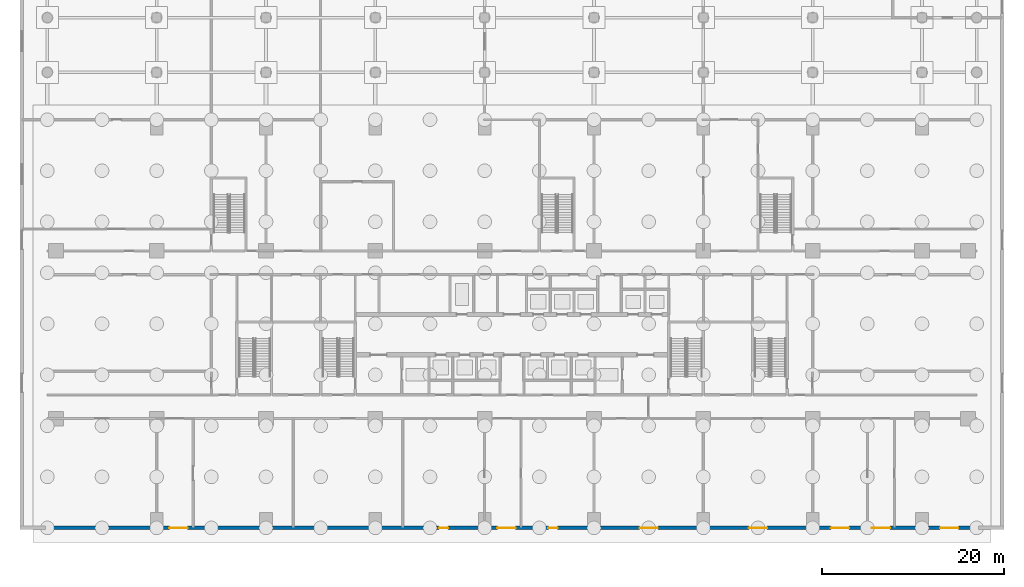
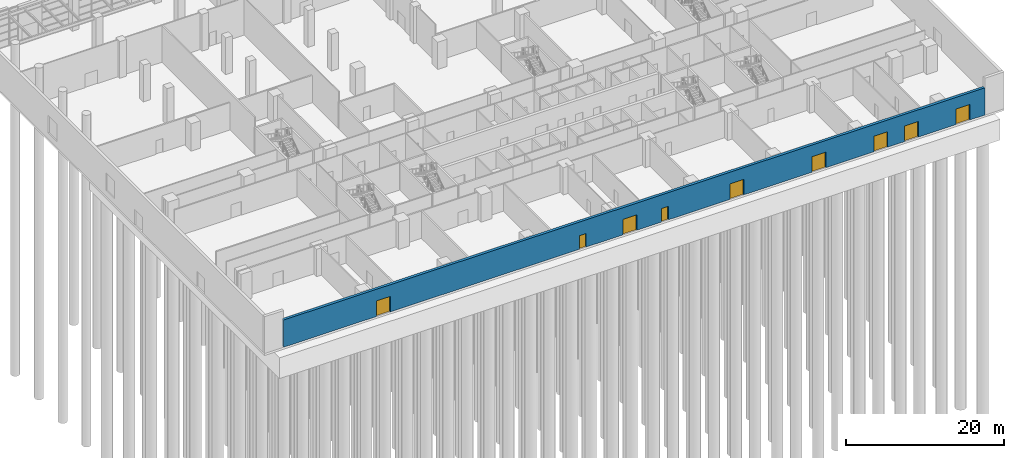
# One storey, part 14 of 27: 9 doors, 1 wall, 9 openings.
"""IFC4 building model written with IfcOpenShell, lengths in metres."""

import ifcopenshell
import ifcopenshell.guid

model = None  # the IFC model being written
_history = None  # IfcOwnerHistory: only IFC2X3 demands one
_inside = {}  # id of a spatial element -> (the spatial element, [elements in it])
_under = {}  # id of a project, library or spatial element -> (it, [spatial elements below it])
_declared = {}  # id of a project -> (the project, [libraries it declares])
_typed = {}  # id of a type object -> (the type object, [elements of that type])
_made_of = {}  # id of a material, layer set ... -> (it, [elements and type objects made of it])


def new_model(schema):
    """Start an empty IFC model of exactly this schema.

    Asked for "IFC4X3", IfcOpenShell would pick the latest addendum, in which some entities
    have other attributes; the version numbers below select the first issue.
    IFC2X3 requires an IfcOwnerHistory on every rooted entity: one is made here for all.
    """
    global model, _history
    if schema == "IFC4X3":
        model = ifcopenshell.file(schema_version=(4, 3, 0, 0))
    else:
        model = ifcopenshell.file(schema=schema)
    _inside.clear()
    _under.clear()
    _declared.clear()
    _typed.clear()
    _made_of.clear()
    _history = None
    if model.schema == "IFC2X3":
        org = make("IfcOrganization", Name="unknown")
        user = make(
            "IfcPersonAndOrganization",
            ThePerson=make("IfcPerson", FamilyName="unknown"),
            TheOrganization=org,
        )
        app = make(
            "IfcApplication",
            ApplicationDeveloper=org,
            Version="unknown",
            ApplicationFullName="unknown",
            ApplicationIdentifier="unknown",
        )
        _history = make(
            "IfcOwnerHistory",
            OwningUser=user,
            OwningApplication=app,
            ChangeAction="ADDED",
            CreationDate=0,
        )
    return model


def make(cls, **values):
    """One entity of the class cls with the attributes given. An attribute that is None is left unset."""
    return model.create_entity(
        cls, **{name: value for name, value in values.items() if value is not None}
    )


def rooted(cls, **values):
    """An entity with a GlobalId (a new one), such as an element, a storey or a relation."""
    return make(cls, GlobalId=ifcopenshell.guid.new(), OwnerHistory=_history, **values)


def si_unit(unit_type, name, prefix=None):
    """IfcSIUnit, for example si_unit("LENGTHUNIT", "METRE", prefix="MILLI")."""
    return make("IfcSIUnit", UnitType=unit_type, Prefix=prefix, Name=name)


def assignment(units):
    """IfcUnitAssignment: the units of a project."""
    return None if units is None else make("IfcUnitAssignment", Units=units)


def point(xyz):
    """IfcCartesianPoint."""
    return None if xyz is None else make("IfcCartesianPoint", Coordinates=xyz)


def direction(xyz):
    """IfcDirection."""
    return None if xyz is None else make("IfcDirection", DirectionRatios=xyz)


def frame(location, z_axis=None, x_axis=None):
    """IfcAxis2Placement3D, a coordinate frame: its origin and axes. An axis left out is left unset."""
    return make(
        "IfcAxis2Placement3D",
        Location=point(location),
        Axis=direction(z_axis),
        RefDirection=direction(x_axis),
    )


def frame_2d(location, x_axis=None):
    """IfcAxis2Placement2D, a coordinate frame in the plane: its origin and x axis."""
    return make(
        "IfcAxis2Placement2D", Location=point(location), RefDirection=direction(x_axis)
    )


def origin():
    """The frame at (0, 0, 0) with its axes left unset."""
    return frame((0.0, 0.0, 0.0))


def place(relative_to, where):
    """IfcLocalPlacement: puts the frame where relative to a parent placement (None: the world)."""
    return make(
        "IfcLocalPlacement", PlacementRelTo=relative_to, RelativePlacement=where
    )


def context(
    kind, dimensions, precision=None, world=None, true_north=None, identifier=None
):
    """IfcGeometricRepresentationContext, for example the 3D "Model" context."""
    return make(
        "IfcGeometricRepresentationContext",
        ContextIdentifier=identifier,
        ContextType=kind,
        CoordinateSpaceDimension=dimensions,
        Precision=precision,
        WorldCoordinateSystem=world,
        TrueNorth=true_north,
    )


def subcontext(parent, identifier, kind, view, scale=None):
    """IfcGeometricRepresentationSubContext, for example "Body" below "Model"."""
    return make(
        "IfcGeometricRepresentationSubContext",
        ContextIdentifier=identifier,
        ContextType=kind,
        ParentContext=parent,
        TargetScale=scale,
        TargetView=view,
    )


def project(units=None, contexts=None):
    """IfcProject with its units and contexts."""
    return rooted(
        "IfcProject",
        Name="project",
        RepresentationContexts=contexts,
        UnitsInContext=assignment(units),
    )


def spatial(cls, under=None, at=None, **own):
    """A site, building, storey or space (cls), placed at a placement, below another one or the project."""
    s = rooted(cls, ObjectPlacement=at, **own)
    if under is not None:
        _under.setdefault(under.id(), (under, []))[1].append(s)
    return s


def profile(cls, at=None, kind="AREA", **sizes):
    """A parametric profile (cls). Its sizes go by their IFC names, for example OverallWidth=200.0."""
    return make(cls, ProfileType=kind, Position=at, **sizes)


def rectangle(**sizes):
    """IfcRectangleProfileDef."""
    return profile("IfcRectangleProfileDef", **sizes)


def extrude(swept, where, along, depth):
    """IfcExtrudedAreaSolid: the profile swept, set in the frame where, extruded along a direction by depth."""
    return make(
        "IfcExtrudedAreaSolid",
        SweptArea=swept,
        Position=where,
        ExtrudedDirection=direction(along),
        Depth=depth,
    )


def shape(context_of_items, identifier, shape_type, items):
    """IfcShapeRepresentation: the items that make up one representation, for example the "Body"."""
    return make(
        "IfcShapeRepresentation",
        ContextOfItems=context_of_items,
        RepresentationIdentifier=identifier,
        RepresentationType=shape_type,
        Items=items,
    )


def material(Name=None, Category=None):
    """IfcMaterial."""
    return make("IfcMaterial", Name=Name, Category=Category)


def layer(
    of_material, thickness, ventilated=None, Name=None, Category=None, Priority=None
):
    """IfcMaterialLayer: one layer of a wall or slab, of a material (None: an air gap)."""
    return make(
        "IfcMaterialLayer",
        Material=of_material,
        LayerThickness=thickness,
        IsVentilated=ventilated,
        Name=Name,
        Category=Category,
        Priority=Priority,
    )


def layer_set(layers, Name=None):
    """IfcMaterialLayerSet."""
    return make("IfcMaterialLayerSet", MaterialLayers=layers, LayerSetName=Name)


def made_of(thing, what):
    """Note that an element or type object is made of a material, layer set ...; save() writes the relation."""
    if what is not None:
        _made_of.setdefault(what.id(), (what, []))[1].append(thing)
    return thing


def type_object(cls, material=None, **own):
    """A type object (cls), such as IfcWallType, which elements share."""
    return made_of(rooted(cls, **own), material)


def element(
    cls,
    number,
    at=None,
    inside=None,
    cuts=None,
    type_object=None,
    material=None,
    context=None,
    identifier="Body",
    shape_type=None,
    held_by="IfcProductDefinitionShape",
    body=None,
    shapes=None,
    **own,
):
    """One element of the class cls, such as IfcWall. Its Tag is "e" and its number.

    at: its placement. inside: the storey or other place that contains it. cuts: it is an
    opening in that element (IfcRelVoidsElement). A single representation is given by context,
    identifier, shape_type and body (its items); several are given by shapes. held_by: the class
    of the entity that holds the representations. save() writes the other relations.
    """
    e = rooted(cls, Tag="e%d" % number, ObjectPlacement=at, **own)
    if body is not None:
        shapes = [shape(context, identifier, shape_type, body)]
    if shapes is not None:
        e.Representation = make(held_by, Representations=shapes)
    if inside is not None:
        _inside.setdefault(inside.id(), (inside, []))[1].append(e)
    if cuts is not None:
        rooted(
            "IfcRelVoidsElement", RelatingBuildingElement=cuts, RelatedOpeningElement=e
        )
    if type_object is not None:
        _typed.setdefault(type_object.id(), (type_object, []))[1].append(e)
    return made_of(e, material)


def fill(opening, filler):
    """IfcRelFillsElement: the door or window that sits in an opening."""
    return rooted(
        "IfcRelFillsElement",
        RelatingOpeningElement=opening,
        RelatedBuildingElement=filler,
    )


def aggregate(whole, parts):
    """IfcRelAggregates: a whole, such as a stair, and the parts it consists of."""
    return rooted("IfcRelAggregates", RelatingObject=whole, RelatedObjects=parts)


def save(model, path):
    """Write the relations noted so far, then the file.

    IfcRelAggregates (storeys below a building ...), IfcRelContainedInSpatialStructure (elements
    in a storey), IfcRelDefinesByType, IfcRelAssociatesMaterial and IfcRelDeclares: one each for
    every whole, place, type object, material and project.
    """
    for whole, parts in _under.values():
        aggregate(whole, parts)
    for where, things in _inside.values():
        rooted(
            "IfcRelContainedInSpatialStructure",
            RelatedElements=things,
            RelatingStructure=where,
        )
    for kind, things in _typed.values():
        rooted("IfcRelDefinesByType", RelatedObjects=things, RelatingType=kind)
    for what, things in _made_of.values():
        rooted("IfcRelAssociatesMaterial", RelatedObjects=things, RelatingMaterial=what)
    for by, libraries in _declared.values():
        rooted("IfcRelDeclares", RelatingContext=by, RelatedDefinitions=libraries)
    model.write(path)


model = new_model("IFC4")

# Units and contexts
model_context = context("Model", 3, precision=1e-05, world=origin(), true_north=direction((0.0, 1.0)))
body_context = subcontext(model_context, "Body", "Model", "MODEL_VIEW")
ifc_project = project(units=[si_unit("LENGTHUNIT", "METRE"), si_unit("AREAUNIT", "SQUARE_METRE"), si_unit("VOLUMEUNIT", "CUBIC_METRE"), si_unit("PLANEANGLEUNIT", "RADIAN"), si_unit("MASSUNIT", "GRAM", prefix="KILO")], contexts=[model_context])

# Site, building, storey
site_placement = place(None, origin())
site = spatial("IfcSite", under=ifc_project, at=site_placement, CompositionType="ELEMENT")
building_placement = place(site_placement, origin())
building = spatial("IfcBuilding", under=site, at=building_placement, Name="Poui Terraces", CompositionType="ELEMENT")
storey_placement = place(building_placement, origin())
storey = spatial("IfcBuildingStorey", under=building, at=storey_placement, Name="L00", CompositionType="ELEMENT", Elevation=0.0)

# Wall, openings, doors
ifc_material_1 = material(Name="Precast concrete 40 MPa", Category="concrete")
ifc_layer = layer(ifc_material_1, 0.39990234375)
ifc_layer_set = layer_set([ifc_layer], Name="Precast concrete 40 MPa")
wall_type = type_object("IfcWallType", Name="EXTERNAL WALL 400 TALL", PredefinedType="STANDARD", material=ifc_layer_set)
wall_placement = place(storey_placement, frame((-0.199951171875, 0.0, 0.0), z_axis=(0.0, 0.0, 1.0), x_axis=(1.0, 0.0, 0.0)))
wall = element("IfcWall", 1, at=wall_placement, inside=storey, type_object=wall_type, Name="EXTERNAL WALL S", PredefinedType="STANDARD", context=body_context, shape_type="SweptSolid", body=[
    extrude(rectangle(XDim=102.39990234375, YDim=0.39990234375, at=frame_2d((51.199951171875, 0.0))), origin(), (0.0, 0.0, 1.0), 4.199951171875),
])
opening_1_placement = place(wall_placement, frame((13.60009765625, 0.0, 0.0)))
opening_1 = element("IfcOpeningElement", 2, at=opening_1_placement, cuts=wall, Name="Opening XDD200", PredefinedType="OPENING", context=body_context, shape_type="SweptSolid", body=[
    extrude(rectangle(XDim=2.0, YDim=2.39990234375, at=frame_2d((1.0, 1.199951171875))), frame((0.0, 0.2099609375, 0.0), z_axis=(0.0, -1.0, 0.0), x_axis=(1.0, 0.0, 0.0)), (0.0, 0.0, 1.0), 0.419921875),
])
opening_2_placement = place(wall_placement, frame((43.199951171875, 0.0, 0.0)))
opening_2 = element("IfcOpeningElement", 3, at=opening_2_placement, cuts=wall, Name="Opening XD100", PredefinedType="OPENING", context=body_context, shape_type="SweptSolid", body=[
    extrude(rectangle(XDim=1.0, YDim=2.10009765625, at=frame_2d((0.5, 1.050048828125))), frame((0.0, 0.2099609375, 0.0), z_axis=(0.0, -1.0, 0.0), x_axis=(1.0, 0.0, 0.0)), (0.0, 0.0, 1.0), 0.419921875),
])
opening_3_placement = place(wall_placement, frame((49.60009765625, 0.0, 0.0)))
opening_3 = element("IfcOpeningElement", 4, at=opening_3_placement, cuts=wall, Name="Opening XDD200", PredefinedType="OPENING", context=body_context, shape_type="SweptSolid", body=[
    extrude(rectangle(XDim=2.0, YDim=2.39990234375, at=frame_2d((1.0, 1.199951171875))), frame((0.0, 0.2099609375, 0.0), z_axis=(0.0, -1.0, 0.0), x_axis=(1.0, 0.0, 0.0)), (0.0, 0.0, 1.0), 0.419921875),
])
opening_4_placement = place(wall_placement, frame((55.199951171875, 0.0, 0.0)))
opening_4 = element("IfcOpeningElement", 5, at=opening_4_placement, cuts=wall, Name="Opening XD100", PredefinedType="OPENING", context=body_context, shape_type="SweptSolid", body=[
    extrude(rectangle(XDim=1.0, YDim=2.10009765625, at=frame_2d((0.5, 1.050048828125))), frame((0.0, 0.2099609375, 0.0), z_axis=(0.0, -1.0, 0.0), x_axis=(1.0, 0.0, 0.0)), (0.0, 0.0, 1.0), 0.419921875),
])
opening_5_placement = place(wall_placement, frame((65.199951171875, 0.0, 0.0)))
opening_5 = element("IfcOpeningElement", 6, at=opening_5_placement, cuts=wall, Name="Opening XDD200", PredefinedType="OPENING", context=body_context, shape_type="SweptSolid", body=[
    extrude(rectangle(XDim=2.0, YDim=2.39990234375, at=frame_2d((1.0, 1.199951171875))), frame((0.0, 0.2099609375, 0.0), z_axis=(0.0, -1.0, 0.0), x_axis=(1.0, 0.0, 0.0)), (0.0, 0.0, 1.0), 0.419921875),
])
opening_6_placement = place(wall_placement, frame((77.199951171875, 0.0, 0.0)))
opening_6 = element("IfcOpeningElement", 7, at=opening_6_placement, cuts=wall, Name="Opening XDD200", PredefinedType="OPENING", context=body_context, shape_type="SweptSolid", body=[
    extrude(rectangle(XDim=2.0, YDim=2.39990234375, at=frame_2d((1.0, 1.199951171875))), frame((0.0, 0.2099609375, 0.0), z_axis=(0.0, -1.0, 0.0), x_axis=(1.0, 0.0, 0.0)), (0.0, 0.0, 1.0), 0.419921875),
])
opening_7_placement = place(wall_placement, frame((86.199951171875, 0.0, 0.0)))
opening_7 = element("IfcOpeningElement", 8, at=opening_7_placement, cuts=wall, Name="Opening XDD200", PredefinedType="OPENING", context=body_context, shape_type="SweptSolid", body=[
    extrude(rectangle(XDim=2.0, YDim=2.39990234375, at=frame_2d((1.0, 1.199951171875))), frame((0.0, 0.2099609375, 0.0), z_axis=(0.0, -1.0, 0.0), x_axis=(1.0, 0.0, 0.0)), (0.0, 0.0, 1.0), 0.419921875),
])
opening_8_placement = place(wall_placement, frame((90.699951171875, 0.0, 0.0)))
opening_8 = element("IfcOpeningElement", 9, at=opening_8_placement, cuts=wall, Name="Opening XDD200", PredefinedType="OPENING", context=body_context, shape_type="SweptSolid", body=[
    extrude(rectangle(XDim=2.0, YDim=2.39990234375, at=frame_2d((1.0, 1.199951171875))), frame((0.0, 0.2099609375, 0.0), z_axis=(0.0, -1.0, 0.0), x_axis=(1.0, 0.0, 0.0)), (0.0, 0.0, 1.0), 0.419921875),
])
opening_9_placement = place(wall_placement, frame((98.199951171875, 0.0, 0.0)))
opening_9 = element("IfcOpeningElement", 10, at=opening_9_placement, cuts=wall, Name="Opening XDD200", PredefinedType="OPENING", context=body_context, shape_type="SweptSolid", body=[
    extrude(rectangle(XDim=2.0, YDim=2.39990234375, at=frame_2d((1.0, 1.199951171875))), frame((0.0, 0.2099609375, 0.0), z_axis=(0.0, -1.0, 0.0), x_axis=(1.0, 0.0, 0.0)), (0.0, 0.0, 1.0), 0.419921875),
])
ifc_material_2 = material(Name="Aluminium glazed door", Category="aluminium")
door_type_1 = type_object("IfcDoorType", Name="EXTERNAL DOOR 1000 X 2100", OperationType="NOTDEFINED", PredefinedType="DOOR", material=ifc_material_2)
door_1_placement = place(opening_2_placement, frame((1.0, 0.0, 0.0), z_axis=(0.0, 0.0, 1.0), x_axis=(-1.0, 0.0, 0.0)))
door_1 = element("IfcDoor", 11, at=door_1_placement, inside=storey, type_object=door_type_1, Name="EXTERNAL DOOR 003", OperationType="SINGLE_SWING_LEFT", OverallHeight=2.10009765625, OverallWidth=1.0, PredefinedType="DOOR", context=body_context, shape_type="SweptSolid", body=[
    extrude(rectangle(XDim=1.0, YDim=2.10009765625, at=frame_2d((0.5, 1.050048828125))), frame((0.0, 0.02490234375, 0.0), z_axis=(0.0, -1.0, 0.0), x_axis=(1.0, 0.0, 0.0)), (0.0, 0.0, 1.0), 0.050048828125),
])
fill(opening_2, door_1)
door_2_placement = place(opening_4_placement, frame((1.0, 0.0, 0.0), z_axis=(0.0, 0.0, 1.0), x_axis=(-1.0, 0.0, 0.0)))
door_2 = element("IfcDoor", 12, at=door_2_placement, inside=storey, type_object=door_type_1, Name="EXTERNAL DOOR 007", OperationType="SINGLE_SWING_LEFT", OverallHeight=2.10009765625, OverallWidth=1.0, PredefinedType="DOOR", context=body_context, shape_type="SweptSolid", body=[
    extrude(rectangle(XDim=1.0, YDim=2.10009765625, at=frame_2d((0.5, 1.050048828125))), frame((0.0, 0.02490234375, 0.0), z_axis=(0.0, -1.0, 0.0), x_axis=(1.0, 0.0, 0.0)), (0.0, 0.0, 1.0), 0.050048828125),
])
fill(opening_4, door_2)
door_type_2 = type_object("IfcDoorType", Name="EXTERNAL DOUBLE DOOR 2000 X 2400", OperationType="DOUBLE_DOOR_SINGLE_SWING", PredefinedType="DOOR", material=ifc_material_2)
door_3_placement = place(opening_1_placement, frame((2.0, 0.0, 0.0), z_axis=(0.0, 0.0, 1.0), x_axis=(-1.0, 0.0, 0.0)))
door_3 = element("IfcDoor", 13, at=door_3_placement, inside=storey, type_object=door_type_2, Name="EXTERNAL DOUBLE DOOR 001", OperationType="DOUBLE_DOOR_SINGLE_SWING", OverallHeight=2.39990234375, OverallWidth=2.0, PredefinedType="DOOR", context=body_context, shape_type="SweptSolid", body=[
    extrude(rectangle(XDim=2.0, YDim=2.39990234375, at=frame_2d((1.0, 1.199951171875))), frame((0.0, 0.02490234375, 0.0), z_axis=(0.0, -1.0, 0.0), x_axis=(1.0, 0.0, 0.0)), (0.0, 0.0, 1.0), 0.050048828125),
])
fill(opening_1, door_3)
door_4_placement = place(opening_3_placement, frame((2.0, 0.0, 0.0), z_axis=(0.0, 0.0, 1.0), x_axis=(-1.0, 0.0, 0.0)))
door_4 = element("IfcDoor", 14, at=door_4_placement, inside=storey, type_object=door_type_2, Name="EXTERNAL DOUBLE DOOR 005", OperationType="DOUBLE_DOOR_SINGLE_SWING", OverallHeight=2.39990234375, OverallWidth=2.0, PredefinedType="DOOR", context=body_context, shape_type="SweptSolid", body=[
    extrude(rectangle(XDim=2.0, YDim=2.39990234375, at=frame_2d((1.0, 1.199951171875))), frame((0.0, 0.02490234375, 0.0), z_axis=(0.0, -1.0, 0.0), x_axis=(1.0, 0.0, 0.0)), (0.0, 0.0, 1.0), 0.050048828125),
])
fill(opening_3, door_4)
door_5_placement = place(opening_5_placement, frame((2.0, 0.0, 0.0), z_axis=(0.0, 0.0, 1.0), x_axis=(-1.0, 0.0, 0.0)))
door_5 = element("IfcDoor", 15, at=door_5_placement, inside=storey, type_object=door_type_2, Name="EXTERNAL DOUBLE DOOR 008", OperationType="DOUBLE_DOOR_SINGLE_SWING", OverallHeight=2.39990234375, OverallWidth=2.0, PredefinedType="DOOR", context=body_context, shape_type="SweptSolid", body=[
    extrude(rectangle(XDim=2.0, YDim=2.39990234375, at=frame_2d((1.0, 1.199951171875))), frame((0.0, 0.02490234375, 0.0), z_axis=(0.0, -1.0, 0.0), x_axis=(1.0, 0.0, 0.0)), (0.0, 0.0, 1.0), 0.050048828125),
])
fill(opening_5, door_5)
door_6_placement = place(opening_6_placement, frame((2.0, 0.0, 0.0), z_axis=(0.0, 0.0, 1.0), x_axis=(-1.0, 0.0, 0.0)))
door_6 = element("IfcDoor", 16, at=door_6_placement, inside=storey, type_object=door_type_2, Name="EXTERNAL DOUBLE DOOR 009", OperationType="DOUBLE_DOOR_SINGLE_SWING", OverallHeight=2.39990234375, OverallWidth=2.0, PredefinedType="DOOR", context=body_context, shape_type="SweptSolid", body=[
    extrude(rectangle(XDim=2.0, YDim=2.39990234375, at=frame_2d((1.0, 1.199951171875))), frame((0.0, 0.02490234375, 0.0), z_axis=(0.0, -1.0, 0.0), x_axis=(1.0, 0.0, 0.0)), (0.0, 0.0, 1.0), 0.050048828125),
])
fill(opening_6, door_6)
door_7_placement = place(opening_7_placement, frame((2.0, 0.0, 0.0), z_axis=(0.0, 0.0, 1.0), x_axis=(-1.0, 0.0, 0.0)))
door_7 = element("IfcDoor", 17, at=door_7_placement, inside=storey, type_object=door_type_2, Name="EXTERNAL DOUBLE DOOR 010", OperationType="DOUBLE_DOOR_SINGLE_SWING", OverallHeight=2.39990234375, OverallWidth=2.0, PredefinedType="DOOR", context=body_context, shape_type="SweptSolid", body=[
    extrude(rectangle(XDim=2.0, YDim=2.39990234375, at=frame_2d((1.0, 1.199951171875))), frame((0.0, 0.02490234375, 0.0), z_axis=(0.0, -1.0, 0.0), x_axis=(1.0, 0.0, 0.0)), (0.0, 0.0, 1.0), 0.050048828125),
])
fill(opening_7, door_7)
door_8_placement = place(opening_8_placement, frame((2.0, 0.0, 0.0), z_axis=(0.0, 0.0, 1.0), x_axis=(-1.0, 0.0, 0.0)))
door_8 = element("IfcDoor", 18, at=door_8_placement, inside=storey, type_object=door_type_2, Name="EXTERNAL DOUBLE DOOR 012", OperationType="DOUBLE_DOOR_SINGLE_SWING", OverallHeight=2.39990234375, OverallWidth=2.0, PredefinedType="DOOR", context=body_context, shape_type="SweptSolid", body=[
    extrude(rectangle(XDim=2.0, YDim=2.39990234375, at=frame_2d((1.0, 1.199951171875))), frame((0.0, 0.02490234375, 0.0), z_axis=(0.0, -1.0, 0.0), x_axis=(1.0, 0.0, 0.0)), (0.0, 0.0, 1.0), 0.050048828125),
])
fill(opening_8, door_8)
door_9_placement = place(opening_9_placement, frame((2.0, 0.0, 0.0), z_axis=(0.0, 0.0, 1.0), x_axis=(-1.0, 0.0, 0.0)))
door_9 = element("IfcDoor", 19, at=door_9_placement, inside=storey, type_object=door_type_2, Name="EXTERNAL DOUBLE DOOR 014", OperationType="DOUBLE_DOOR_SINGLE_SWING", OverallHeight=2.39990234375, OverallWidth=2.0, PredefinedType="DOOR", context=body_context, shape_type="SweptSolid", body=[
    extrude(rectangle(XDim=2.0, YDim=2.39990234375, at=frame_2d((1.0, 1.199951171875))), frame((0.0, 0.02490234375, 0.0), z_axis=(0.0, -1.0, 0.0), x_axis=(1.0, 0.0, 0.0)), (0.0, 0.0, 1.0), 0.050048828125),
])
fill(opening_9, door_9)

save(model, "model.ifc")
